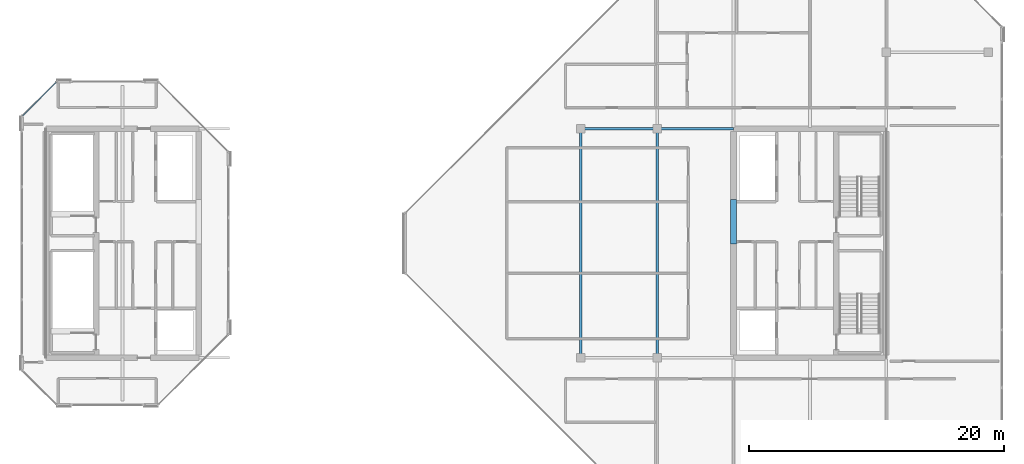
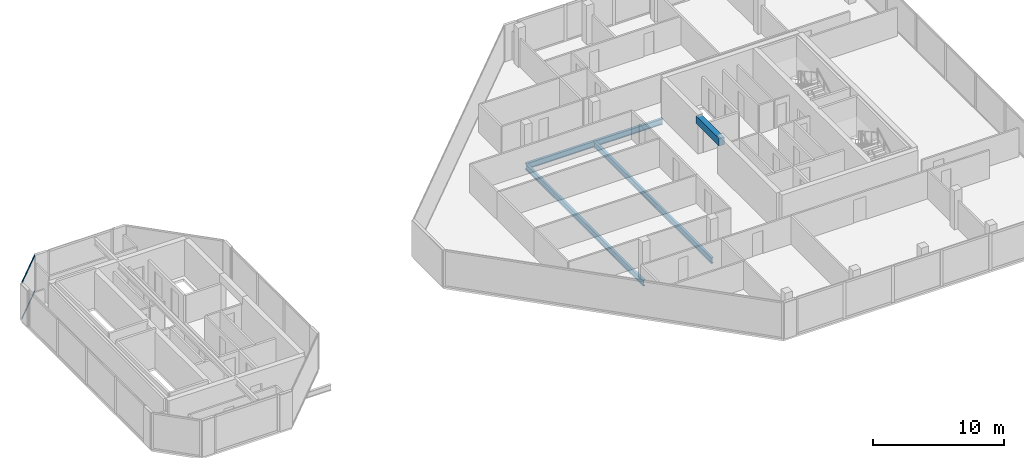
# One storey, part 12 of 28: 5 beams, 2 members, 1 element without a shape of its own.
"""IFC4 building model written with IfcOpenShell, lengths in metres."""

from ifc_helpers import new_model, si_unit, direction, frame, origin, origin_2d, place, context, subcontext, project, spatial, rectangle, hollow_rectangle, i_section, extrude, material, layer, layer_set, material_profile, profile_set, type_object, element, aggregate, save


model = new_model("IFC4")

# Units and contexts
model_context = context("Model", 3, precision=1e-05, world=origin(), true_north=direction((0.0, 1.0)))
body_context = subcontext(model_context, "Body", "Model", "MODEL_VIEW")
ifc_project = project(units=[si_unit("LENGTHUNIT", "METRE"), si_unit("AREAUNIT", "SQUARE_METRE"), si_unit("VOLUMEUNIT", "CUBIC_METRE"), si_unit("PLANEANGLEUNIT", "RADIAN"), si_unit("MASSUNIT", "GRAM", prefix="KILO")], contexts=[model_context])

# Site, building, storey
site_placement = place(None, origin())
site = spatial("IfcSite", under=ifc_project, at=site_placement, CompositionType="ELEMENT")
building_placement = place(site_placement, origin())
building = spatial("IfcBuilding", under=site, at=building_placement, Name="Tanjung Sevakor Pilgrim Tower", CompositionType="ELEMENT")
storey_placement = place(building_placement, frame((0.0, 0.0, 257.070068359375)))
storey = spatial("IfcBuildingStorey", under=building, at=storey_placement, Name="L72", CompositionType="ELEMENT", Elevation=257.070068359375)

# Beams
ifc_material_1 = material(Name="Steel S355J2", Category="steel")
ifc_material_profile_1 = material_profile(ifc_material_1, i_section(OverallWidth=0.2119140625, OverallDepth=0.54443359375, WebThickness=0.0126953125, FlangeThickness=0.021240234375, FilletRadius=0.0126953125, at=origin_2d()))
ifc_profile_set_1 = profile_set([ifc_material_profile_1], Name="Steel S355J2")
beam_type_1 = type_object("IfcBeamType", Name="BM-B-G5-UB_533x210x122", PredefinedType="BEAM", material=ifc_profile_set_1)
for number, where, z_axis, x_axis, name in (
    (1, (66.0, 42.60009765625, -0.4921875), (1.0, 0.0, 0.0), (0.0, 1.0, 0.0), "L72 Primary Floor Girder EAST Y426-01"),
    (2, (72.0, 42.60009765625, -0.4921875), (1.0, 0.0, 0.0), (0.0, 1.0, 0.0), "L72 Primary Floor Girder EAST Y426-02"),
):
    element("IfcBeam", number, at=place(storey_placement, frame(where, z_axis=z_axis, x_axis=x_axis)), inside=storey, type_object=beam_type_1, Name=name, PredefinedType="BEAM", context=body_context, shape_type="SweptSolid", body=[
        extrude(i_section(OverallWidth=0.2119140625, OverallDepth=0.54443359375, WebThickness=0.0126953125, FlangeThickness=0.021240234375, FilletRadius=0.0126953125, at=origin_2d()), origin(), (0.0, 0.0, 1.0), 6.0),
    ])
ifc_material_2 = material(Name="Steel S355J2", Category="steel")
ifc_material_profile_2 = material_profile(ifc_material_2, i_section(OverallWidth=0.210693359375, OverallDepth=0.53955078125, WebThickness=0.01171875, FlangeThickness=0.018798828125, FilletRadius=0.0126953125, at=origin_2d()))
ifc_profile_set_2 = profile_set([ifc_material_profile_2], Name="Steel S355J2")
beam_type_2 = type_object("IfcBeamType", Name="BM-B-G6-UB_533x210x109", PredefinedType="BEAM", material=ifc_profile_set_2)
for number, where, z_axis, x_axis, name in (
    (3, (66.0, 24.60009765625, -0.48974609375), (0.0, 1.0, 0.0), (-1.0, 0.0, 0.0), "L72 EAST Girder 001"),
    (4, (72.0, 24.60009765625, -0.48974609375), (0.0, 1.0, 0.0), (-1.0, 0.0, 0.0), "L72 EAST Girder 003"),
):
    element("IfcBeam", number, at=place(storey_placement, frame(where, z_axis=z_axis, x_axis=x_axis)), inside=storey, type_object=beam_type_2, Name=name, PredefinedType="BEAM", context=body_context, shape_type="SweptSolid", body=[
        extrude(i_section(OverallWidth=0.210693359375, OverallDepth=0.53955078125, WebThickness=0.01171875, FlangeThickness=0.018798828125, FilletRadius=0.0126953125, at=origin_2d()), origin(), (0.0, 0.0, 1.0), 18.0),
    ])
ifc_material_3 = material(Name="Concrete C60/75", Category="concrete")
ifc_material_profile_3 = material_profile(ifc_material_3, rectangle(XDim=0.449951171875, YDim=0.699951171875, at=origin_2d()))
ifc_profile_set_3 = profile_set([ifc_material_profile_3], Name="Concrete C60/75")
beam_type_3 = type_object("IfcBeamType", Name="BM-B-LN3-RC-BM_450x700", PredefinedType="LINTEL", material=ifc_profile_set_3)
beam_placement = place(storey_placement, frame((78.0, 33.550048828125, 3.059814453125), z_axis=(0.0, 1.0, 0.0), x_axis=(-1.0, 0.0, 0.0)))
element("IfcBeam", 5, at=beam_placement, inside=storey, type_object=beam_type_3, Name="L72 E Core Coupling Lintel", PredefinedType="LINTEL", context=body_context, shape_type="SweptSolid", body=[
    extrude(rectangle(XDim=0.449951171875, YDim=0.699951171875, at=origin_2d()), origin(), (0.0, 0.0, 1.0), 3.5),
])

# Curtain wall, members
ifc_material_4 = material(Name="Aluminium 6063-T6 and Low-E Glass", Category="aluminium")
ifc_layer = layer(ifc_material_4, 0.179931640625)
ifc_layer_set = layer_set([ifc_layer], Name="CW-SYS-CHAM")
curtain_wall_type = type_object("IfcCurtainWallType", Name="CW-SYS-CHAM", PredefinedType="NOTDEFINED", material=ifc_layer_set)
curtain_wall_placement = place(storey_placement, origin())
curtain_wall = element("IfcCurtainWall", 6, at=curtain_wall_placement, inside=storey, type_object=curtain_wall_type, Name="L72 Curtain Wall CW-CHM-L72-WEST-5", PredefinedType="NOTDEFINED")
ifc_material_5 = material(Name="Aluminium 6063-T6", Category="aluminium")
ifc_material_profile_4 = material_profile(ifc_material_5, hollow_rectangle(XDim=0.06494140625, YDim=0.139892578125, WallThickness=0.00390625, at=origin_2d()))
ifc_profile_set_4 = profile_set([ifc_material_profile_4], Name="Aluminium 6063-T6")
member_type = type_object("IfcMemberType", Name="TYPE-CWT-1", PredefinedType="USERDEFINED", material=ifc_profile_set_4)
member_1_placement = place(storey_placement, frame((24.799560546875, 46.244140625, 0.032470703125), z_axis=(-0.707074130168, -0.707139430697, 0.0), x_axis=(0.707139430697, -0.707074130168, 0.0)))
member_1 = element("IfcMember", 7, at=member_1_placement, type_object=member_type, Name="CW-CHM transom 1.1", ObjectType="TRANSOM", PredefinedType="USERDEFINED", context=body_context, shape_type="SweptSolid", body=[
    extrude(hollow_rectangle(XDim=0.06494140625, YDim=0.139892578125, WallThickness=0.00390625, at=origin_2d()), origin(), (0.0, 0.0, 1.0), 3.73876953125),
])
member_2_placement = place(storey_placement, frame((24.799560546875, 46.244140625, 3.37744140625), z_axis=(-0.707074130168, -0.707139430697, 0.0), x_axis=(0.707139430697, -0.707074130168, 0.0)))
member_2 = element("IfcMember", 8, at=member_2_placement, type_object=member_type, Name="CW-CHM transom 1.2", ObjectType="TRANSOM", PredefinedType="USERDEFINED", context=body_context, shape_type="SweptSolid", body=[
    extrude(hollow_rectangle(XDim=0.06494140625, YDim=0.139892578125, WallThickness=0.00390625, at=origin_2d()), origin(), (0.0, 0.0, 1.0), 3.73876953125),
])
aggregate(curtain_wall, [member_1, member_2])

save(model, "model.ifc")
